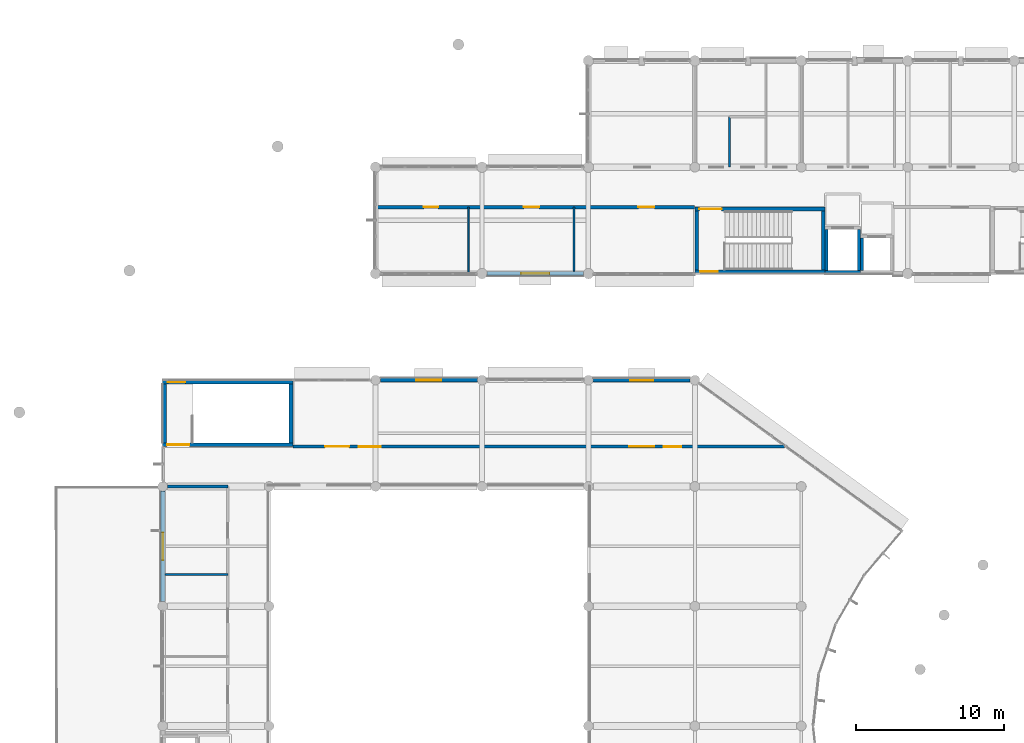
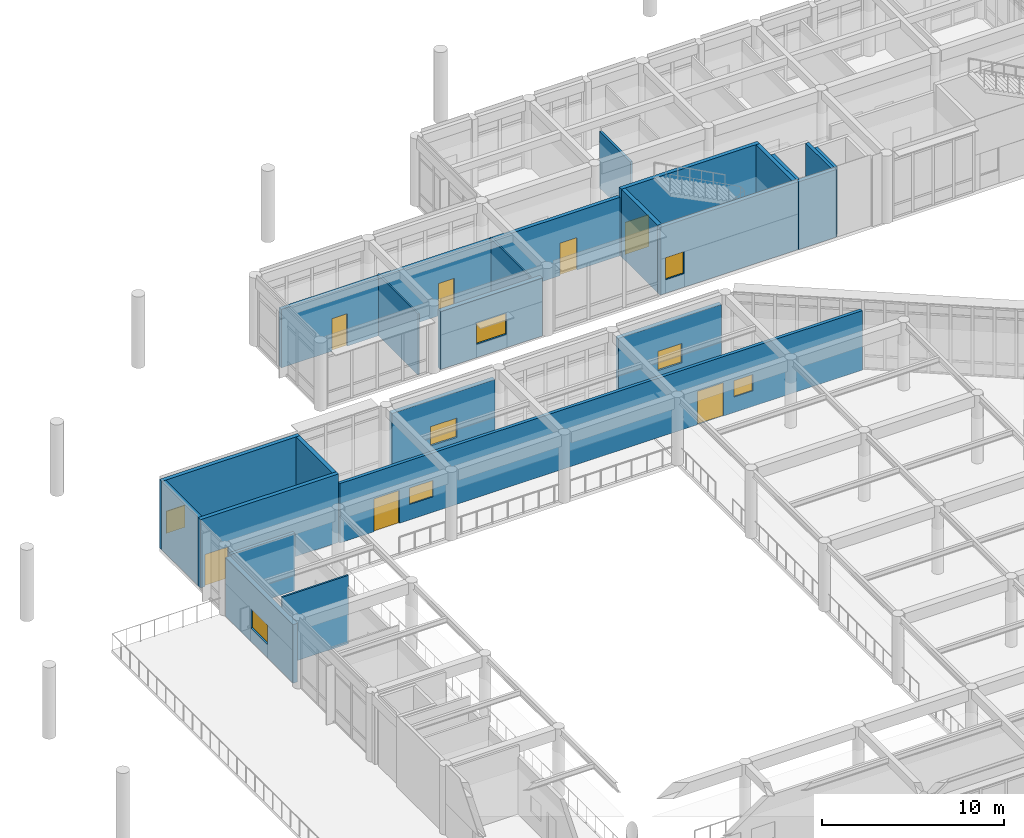
# One storey, part 49 of 92: 23 walls, 8 windows, 7 doors, 15 openings.
"""IFC4 building model written with IfcOpenShell, lengths in metres."""

from ifc_helpers import new_model, si_unit, direction, frame, frame_2d, origin, place, context, subcontext, project, spatial, rectangle, extrude, material, layer, layer_set, type_object, element, fill, save


model = new_model("IFC4")

# Units and contexts
model_context = context("Model", 3, precision=1e-05, world=origin(), true_north=direction((0.0, 1.0)))
body_context = subcontext(model_context, "Body", "Model", "MODEL_VIEW")
ifc_project = project(units=[si_unit("LENGTHUNIT", "METRE"), si_unit("AREAUNIT", "SQUARE_METRE"), si_unit("VOLUMEUNIT", "CUBIC_METRE"), si_unit("PLANEANGLEUNIT", "RADIAN"), si_unit("MASSUNIT", "GRAM", prefix="KILO")], contexts=[model_context])

# Site, building, storey
site_placement = place(None, origin())
site = spatial("IfcSite", under=ifc_project, at=site_placement, CompositionType="ELEMENT")
building_placement = place(site_placement, origin())
building = spatial("IfcBuilding", under=site, at=building_placement, Name="Namkhue Oval Health Centre", CompositionType="ELEMENT")
storey_placement = place(building_placement, frame((0.0, 0.0, 4.800048828125)))
storey = spatial("IfcBuildingStorey", under=building, at=storey_placement, Name="L01", CompositionType="ELEMENT", Elevation=4.800048828125)

# Wall, opening, window
ifc_material_1 = material(Name="Autoclaved aerated concrete blockwork M7.5", Category="masonry")
ifc_layer_1 = layer(ifc_material_1, 0.27001953125)
ifc_layer_set_1 = layer_set([ifc_layer_1], Name="Autoclaved aerated concrete blockwork M7.5")
wall_type_1 = type_object("IfcWallType", Name="EXTERIOR ENVELOPE WALL 270", PredefinedType="STANDARD", material=ifc_layer_set_1)
wall_1_placement = place(storey_placement, frame((57.280029296875, 82.800048828125, 0.0), z_axis=(0.0, 0.0, 1.0), x_axis=(-1.0, 0.0, 0.0)))
wall_1 = element("IfcWall", 1, at=wall_1_placement, inside=storey, type_object=wall_type_1, Name="Volume V1 L01 Exterior Envelope Wall 10", PredefinedType="STANDARD", context=body_context, shape_type="SweptSolid", body=[
    extrude(rectangle(XDim=6.56005859375, YDim=0.27001953125, at=frame_2d((3.280029296875, 0.0))), origin(), (0.0, 0.0, 1.0), 3.949951171875),
])
opening_1_placement = place(wall_1_placement, frame((2.5048828125, 0.0, 0.89990234375)))
opening_1 = element("IfcOpeningElement", 2, at=opening_1_placement, cuts=wall_1, Name="Opening WN-07", PredefinedType="OPENING", context=body_context, shape_type="SweptSolid", body=[
    extrude(rectangle(XDim=1.550048828125, YDim=1.300048828125, at=frame_2d((0.77490234375, 0.64990234375))), frame((0.0, 0.14501953125, 0.0), z_axis=(0.0, -1.0, 0.0), x_axis=(1.0, 0.0, 0.0)), (0.0, 0.0, 1.0), 0.2900390625),
])
ifc_material_2 = material(Name="Thermally broken low-E laminated double glazing", Category="glass")
window_type_1 = type_object("IfcWindowType", Name="EXTERIOR WINDOW 1550X1300", PartitioningType="SINGLE_PANEL", PredefinedType="WINDOW", material=ifc_material_2)
window_1_placement = place(opening_1_placement, origin())
window_1 = element("IfcWindow", 3, at=window_1_placement, inside=storey, type_object=window_type_1, Name="Volume V1 L01 Exterior Window 7", OverallHeight=1.300048828125, OverallWidth=1.550048828125, PartitioningType="SINGLE_PANEL", PredefinedType="WINDOW", context=body_context, shape_type="SweptSolid", body=[
    extrude(rectangle(XDim=1.550048828125, YDim=1.300048828125, at=frame_2d((0.77490234375, 0.64990234375))), frame((0.0, 0.030029296875, 0.0), z_axis=(0.0, -1.0, 0.0), x_axis=(1.0, 0.0, 0.0)), (0.0, 0.0, 1.0), 0.06005859375),
])
fill(opening_1, window_1)

ifc_layer_2 = layer(ifc_material_1, 0.280029296875)
ifc_layer_set_2 = layer_set([ifc_layer_2], Name="Autoclaved aerated concrete blockwork M7.5")
wall_type_2 = type_object("IfcWallType", Name="EXTERIOR ENVELOPE WALL 280", PredefinedType="STANDARD", material=ifc_layer_set_2)
wall_2_placement = place(storey_placement, frame((42.8798828125, 82.800048828125, 0.0), z_axis=(0.0, 0.0, 1.0), x_axis=(-1.0, 0.0, 0.0)))
wall_2 = element("IfcWall", 4, at=wall_2_placement, inside=storey, type_object=wall_type_2, Name="Volume V1 L01 Exterior Envelope Wall 11", PredefinedType="STANDARD", context=body_context, shape_type="SweptSolid", body=[
    extrude(rectangle(XDim=6.559814453125, YDim=0.280029296875, at=frame_2d((3.27978515625, 0.0))), origin(), (0.0, 0.0, 1.0), 3.949951171875),
])
opening_2_placement = place(wall_2_placement, frame((2.429931640625, 0.0, 0.89990234375)))
opening_2 = element("IfcOpeningElement", 5, at=opening_2_placement, cuts=wall_2, Name="Opening WN-08", PredefinedType="OPENING", context=body_context, shape_type="SweptSolid", body=[
    extrude(rectangle(XDim=1.699951171875, YDim=1.300048828125, at=frame_2d((0.85009765625, 0.64990234375))), frame((0.0, 0.14990234375, 0.0), z_axis=(0.0, -1.0, 0.0), x_axis=(1.0, 0.0, 0.0)), (0.0, 0.0, 1.0), 0.300048828125),
])
window_type_2 = type_object("IfcWindowType", Name="EXTERIOR WINDOW 1700X1300", PartitioningType="SINGLE_PANEL", PredefinedType="WINDOW", material=ifc_material_2)
window_2_placement = place(opening_2_placement, origin())
window_2 = element("IfcWindow", 6, at=window_2_placement, inside=storey, type_object=window_type_2, Name="Volume V1 L01 Exterior Window 8", OverallHeight=1.300048828125, OverallWidth=1.699951171875, PartitioningType="SINGLE_PANEL", PredefinedType="WINDOW", context=body_context, shape_type="SweptSolid", body=[
    extrude(rectangle(XDim=1.699951171875, YDim=1.300048828125, at=frame_2d((0.85009765625, 0.64990234375))), frame((0.0, 0.030029296875, 0.0), z_axis=(0.0, -1.0, 0.0), x_axis=(1.0, 0.0, 0.0)), (0.0, 0.0, 1.0), 0.06005859375),
])
fill(opening_2, window_2)

wall_3_placement = place(storey_placement, frame((43.544921875, 90.0, 0.0), z_axis=(0.0, 0.0, 1.0), x_axis=(1.0, 0.0, 0.0)))
wall_3 = element("IfcWall", 7, at=wall_3_placement, inside=storey, type_object=wall_type_2, Name="Volume V2 L01 Exterior Envelope Wall 27", PredefinedType="STANDARD", context=body_context, shape_type="SweptSolid", body=[
    extrude(rectangle(XDim=6.510009765625, YDim=0.280029296875, at=frame_2d((3.2548828125, 0.0))), origin(), (0.0, 0.0, 1.0), 3.905029296875),
])
opening_3_placement = place(wall_3_placement, frame((2.304931640625, 0.0, 0.89990234375)))
opening_3 = element("IfcOpeningElement", 8, at=opening_3_placement, cuts=wall_3, Name="Opening WN-18", PredefinedType="OPENING", context=body_context, shape_type="SweptSolid", body=[
    extrude(rectangle(XDim=1.89990234375, YDim=1.419921875, at=frame_2d((0.949951171875, 0.7099609375))), frame((0.0, 0.14990234375, 0.0), z_axis=(0.0, -1.0, 0.0), x_axis=(1.0, 0.0, 0.0)), (0.0, 0.0, 1.0), 0.300048828125),
])
window_type_3 = type_object("IfcWindowType", Name="EXTERIOR WINDOW 1900X1420", PartitioningType="SINGLE_PANEL", PredefinedType="WINDOW", material=ifc_material_2)
window_3_placement = place(opening_3_placement, origin())
window_3 = element("IfcWindow", 9, at=window_3_placement, inside=storey, type_object=window_type_3, Name="Volume V2 L01 Exterior Window 18", OverallHeight=1.419921875, OverallWidth=1.89990234375, PartitioningType="SINGLE_PANEL", PredefinedType="WINDOW", context=body_context, shape_type="SweptSolid", body=[
    extrude(rectangle(XDim=1.89990234375, YDim=1.419921875, at=frame_2d((0.949951171875, 0.7099609375))), frame((0.0, 0.030029296875, 0.0), z_axis=(0.0, -1.0, 0.0), x_axis=(1.0, 0.0, 0.0)), (0.0, 0.0, 1.0), 0.06005859375),
])
fill(opening_3, window_3)

ifc_layer_3 = layer(ifc_material_1, 0.2900390625)
ifc_layer_set_3 = layer_set([ifc_layer_3], Name="Autoclaved aerated concrete blockwork M7.5")
wall_type_3 = type_object("IfcWallType", Name="EXTERIOR ENVELOPE WALL 290", PredefinedType="STANDARD", material=ifc_layer_set_3)
wall_4_placement = place(storey_placement, frame((21.60009765625, 75.280029296875, 0.0), z_axis=(0.0, 0.0, 1.0), x_axis=(0.0, -1.0, 0.0)))
wall_4 = element("IfcWall", 10, at=wall_4_placement, inside=storey, type_object=wall_type_3, Name="Volume V1 L01 Exterior Envelope Wall 12", PredefinedType="STANDARD", context=body_context, shape_type="SweptSolid", body=[
    extrude(rectangle(XDim=7.4599609375, YDim=0.2900390625, at=frame_2d((3.72998046875, 0.0))), origin(), (0.0, 0.0, 1.0), 3.949951171875),
])
opening_4_placement = place(wall_4_placement, frame((2.804931640625, 0.0, 0.89990234375)))
opening_4 = element("IfcOpeningElement", 11, at=opening_4_placement, cuts=wall_4, Name="Opening WN-09", PredefinedType="OPENING", context=body_context, shape_type="SweptSolid", body=[
    extrude(rectangle(XDim=1.85009765625, YDim=1.300048828125, at=frame_2d((0.925048828125, 0.64990234375))), frame((0.0, 0.155029296875, 0.0), z_axis=(0.0, -1.0, 0.0), x_axis=(1.0, 0.0, 0.0)), (0.0, 0.0, 1.0), 0.31005859375),
])
window_type_4 = type_object("IfcWindowType", Name="EXTERIOR WINDOW 1850X1300", PartitioningType="SINGLE_PANEL", PredefinedType="WINDOW", material=ifc_material_2)
window_4_placement = place(opening_4_placement, origin())
window_4 = element("IfcWindow", 12, at=window_4_placement, inside=storey, type_object=window_type_4, Name="Volume V1 L01 Exterior Window 9", OverallHeight=1.300048828125, OverallWidth=1.85009765625, PartitioningType="SINGLE_PANEL", PredefinedType="WINDOW", context=body_context, shape_type="SweptSolid", body=[
    extrude(rectangle(XDim=1.85009765625, YDim=1.300048828125, at=frame_2d((0.925048828125, 0.64990234375))), frame((0.0, 0.030029296875, 0.0), z_axis=(0.0, -1.0, 0.0), x_axis=(1.0, 0.0, 0.0)), (0.0, 0.0, 1.0), 0.06005859375),
])
fill(opening_4, window_4)

# Wall
ifc_material_3 = material(Name="Gypsum plasterboard acoustic partition", Category="gypsum")
ifc_layer_4 = layer(ifc_material_3, 0.195068359375)
ifc_layer_set_4 = layer_set([ifc_layer_4], Name="Gypsum plasterboard acoustic partition")
wall_type_4 = type_object("IfcWallType", Name="FIRE PARTITION WALL 195", PredefinedType="PARTITIONING", material=ifc_layer_set_4)
wall_5_placement = place(storey_placement, frame((21.925048828125, 75.60009765625, 0.0), z_axis=(0.0, 0.0, 1.0), x_axis=(1.0, 0.0, 0.0)))
element("IfcWall", 13, at=wall_5_placement, inside=storey, type_object=wall_type_4, Name="Volume V1 L01 Clinical Partition Wall 24", PredefinedType="PARTITIONING", context=body_context, shape_type="SweptSolid", body=[
    extrude(rectangle(XDim=4.074951171875, YDim=0.195068359375, at=frame_2d((2.03759765625, 0.0))), origin(), (0.0, 0.0, 1.0), 3.849853515625),
])

# Wall, openings, doors, windows
ifc_layer_5 = layer(ifc_material_3, 0.205078125)
ifc_layer_set_5 = layer_set([ifc_layer_5], Name="Gypsum plasterboard acoustic partition")
wall_type_5 = type_object("IfcWallType", Name="FIRE PARTITION WALL 205", PredefinedType="PARTITIONING", material=ifc_layer_set_5)
wall_6_placement = place(storey_placement, frame((30.419921875, 78.300048828125, 0.0), z_axis=(0.0, 0.0, 1.0), x_axis=(1.0, 0.0, 0.0)))
wall_6 = element("IfcWall", 14, at=wall_6_placement, inside=storey, type_object=wall_type_5, Name="Volume V1 L01 Clinical Partition Wall 32", PredefinedType="PARTITIONING", context=body_context, shape_type="SweptSolid", body=[
    extrude(rectangle(XDim=33.238525390625, YDim=0.205078125, at=frame_2d((16.619140625, 0.0))), origin(), (0.0, 0.0, 1.0), 4.0),
])
opening_5_placement = place(wall_6_placement, frame((2.169921875, 0.0, 0.0)))
opening_5 = element("IfcOpeningElement", 15, at=opening_5_placement, cuts=wall_6, Name="Opening CDD-05", PredefinedType="OPENING", context=body_context, shape_type="SweptSolid", body=[
    extrude(rectangle(XDim=1.6201171875, YDim=2.219970703125, at=frame_2d((0.81005859375, 1.10986328125))), frame((0.0, 0.112548828125, 0.0), z_axis=(0.0, -1.0, 0.0), x_axis=(1.0, 0.0, 0.0)), (0.0, 0.0, 1.0), 0.22509765625),
])
opening_6_placement = place(wall_6_placement, frame((4.43994140625, 0.0, 1.050048828125)))
opening_6 = element("IfcOpeningElement", 16, at=opening_6_placement, cuts=wall_6, Name="Opening IWN-02", PredefinedType="OPENING", context=body_context, shape_type="SweptSolid", body=[
    extrude(rectangle(XDim=1.5, YDim=1.10009765625, at=frame_2d((0.75, 0.550048828125))), frame((0.0, 0.112548828125, 0.0), z_axis=(0.0, -1.0, 0.0), x_axis=(1.0, 0.0, 0.0)), (0.0, 0.0, 1.0), 0.22509765625),
])
opening_7_placement = place(wall_6_placement, frame((22.739990234375, 0.0, 0.0)))
opening_7 = element("IfcOpeningElement", 17, at=opening_7_placement, cuts=wall_6, Name="Opening CDD-06", PredefinedType="OPENING", context=body_context, shape_type="SweptSolid", body=[
    extrude(rectangle(XDim=1.679931640625, YDim=2.239990234375, at=frame_2d((0.83984375, 1.1201171875))), frame((0.0, 0.112548828125, 0.0), z_axis=(0.0, -1.0, 0.0), x_axis=(1.0, 0.0, 0.0)), (0.0, 0.0, 1.0), 0.22509765625),
])
opening_8_placement = place(wall_6_placement, frame((25.070068359375, 0.0, 1.050048828125)))
opening_8 = element("IfcOpeningElement", 18, at=opening_8_placement, cuts=wall_6, Name="Opening IWN-01", PredefinedType="OPENING", context=body_context, shape_type="SweptSolid", body=[
    extrude(rectangle(XDim=1.199951171875, YDim=1.10009765625, at=frame_2d((0.60009765625, 0.550048828125))), frame((0.0, 0.112548828125, 0.0), z_axis=(0.0, -1.0, 0.0), x_axis=(1.0, 0.0, 0.0)), (0.0, 0.0, 1.0), 0.22509765625),
])
ifc_material_4 = material(Name="Powder-coated steel fire door assembly", Category="steel")
door_type_1 = type_object("IfcDoorType", Name="CLINICAL DOOR DOUBLE 1620X2220", OperationType="DOUBLE_DOOR_SINGLE_SWING", PredefinedType="DOOR", material=ifc_material_4)
door_1_placement = place(opening_5_placement, frame((1.6201171875, 0.0, 0.0), z_axis=(0.0, 0.0, 1.0), x_axis=(-1.0, 0.0, 0.0)))
door_1 = element("IfcDoor", 19, at=door_1_placement, inside=storey, type_object=door_type_1, Name="Volume V1 L01 Immunisation Clinic West Door 19", OperationType="DOUBLE_DOOR_SINGLE_SWING", OverallHeight=2.219970703125, OverallWidth=1.6201171875, PredefinedType="DOOR", context=body_context, shape_type="SweptSolid", body=[
    extrude(rectangle(XDim=1.6201171875, YDim=2.219970703125, at=frame_2d((0.81005859375, 1.10986328125))), frame((0.0, 0.02490234375, 0.0), z_axis=(0.0, -1.0, 0.0), x_axis=(1.0, 0.0, 0.0)), (0.0, 0.0, 1.0), 0.050048828125),
])
fill(opening_5, door_1)
door_type_2 = type_object("IfcDoorType", Name="CLINICAL DOOR DOUBLE 1680X2240", OperationType="DOUBLE_DOOR_SINGLE_SWING", PredefinedType="DOOR", material=ifc_material_4)
door_2_placement = place(opening_7_placement, frame((1.679931640625, 0.0, 0.0), z_axis=(0.0, 0.0, 1.0), x_axis=(-1.0, 0.0, 0.0)))
door_2 = element("IfcDoor", 20, at=door_2_placement, inside=storey, type_object=door_type_2, Name="Volume V1 L01 Immunisation Clinic Gallery Door 20", OperationType="DOUBLE_DOOR_SINGLE_SWING", OverallHeight=2.239990234375, OverallWidth=1.679931640625, PredefinedType="DOOR", context=body_context, shape_type="SweptSolid", body=[
    extrude(rectangle(XDim=1.679931640625, YDim=2.239990234375, at=frame_2d((0.83984375, 1.1201171875))), frame((0.0, 0.02490234375, 0.0), z_axis=(0.0, -1.0, 0.0), x_axis=(1.0, 0.0, 0.0)), (0.0, 0.0, 1.0), 0.050048828125),
])
fill(opening_7, door_2)
ifc_material_5 = material(Name="Lead-equivalent radiation-shielded observation glass", Category="glass")
window_type_5 = type_object("IfcWindowType", Name="COURTYARD WINDOW OBSERVATION 1200X1100", PartitioningType="SINGLE_PANEL", PredefinedType="WINDOW", material=ifc_material_5)
window_5_placement = place(opening_8_placement, origin())
window_5 = element("IfcWindow", 21, at=window_5_placement, inside=storey, type_object=window_type_5, Name="Volume V1 L01 Clinical Observation Window 6", OverallHeight=1.10009765625, OverallWidth=1.199951171875, PartitioningType="SINGLE_PANEL", PredefinedType="WINDOW", context=body_context, shape_type="SweptSolid", body=[
    extrude(rectangle(XDim=1.199951171875, YDim=1.10009765625, at=frame_2d((0.60009765625, 0.550048828125))), frame((0.0, 0.030029296875, 0.0), z_axis=(0.0, -1.0, 0.0), x_axis=(1.0, 0.0, 0.0)), (0.0, 0.0, 1.0), 0.06005859375),
])
fill(opening_8, window_5)
window_type_6 = type_object("IfcWindowType", Name="COURTYARD WINDOW OBSERVATION 1500X1100", PartitioningType="SINGLE_PANEL", PredefinedType="WINDOW", material=ifc_material_5)
window_6_placement = place(opening_6_placement, origin())
window_6 = element("IfcWindow", 22, at=window_6_placement, inside=storey, type_object=window_type_6, Name="Volume V1 L01 Clinical Observation Window 5", OverallHeight=1.10009765625, OverallWidth=1.5, PartitioningType="SINGLE_PANEL", PredefinedType="WINDOW", context=body_context, shape_type="SweptSolid", body=[
    extrude(rectangle(XDim=1.5, YDim=1.10009765625, at=frame_2d((0.75, 0.550048828125))), frame((0.0, 0.030029296875, 0.0), z_axis=(0.0, -1.0, 0.0), x_axis=(1.0, 0.0, 0.0)), (0.0, 0.0, 1.0), 0.06005859375),
])
fill(opening_6, window_6)

# Wall, openings, doors
ifc_material_6 = material(Name="Lead-lined barium plasterboard radiation partition", Category="gypsum")
ifc_layer_6 = layer(ifc_material_6, 0.235107421875)
ifc_layer_set_6 = layer_set([ifc_layer_6], Name="Lead-lined barium plasterboard radiation partition")
wall_type_6 = type_object("IfcWallType", Name="FIRE PARTITION WALL 235", PredefinedType="PARTITIONING", material=ifc_layer_set_6)
wall_7_placement = place(storey_placement, frame((36.0400390625, 94.5, 0.0), z_axis=(0.0, 0.0, 1.0), x_axis=(1.0, 0.0, 0.0)))
wall_7 = element("IfcWall", 23, at=wall_7_placement, inside=storey, type_object=wall_type_6, Name="Volume V2 L01 Clinical Partition Wall 56", PredefinedType="PARTITIONING", context=body_context, shape_type="SweptSolid", body=[
    extrude(rectangle(XDim=21.5400390625, YDim=0.235107421875, at=frame_2d((10.77001953125, 0.0))), origin(), (0.0, 0.0, 1.0), 3.93505859375),
])
opening_9_placement = place(wall_7_placement, frame((3.22705078125, 0.0, 0.0)))
opening_9 = element("IfcOpeningElement", 24, at=opening_9_placement, cuts=wall_7, Name="Opening CD-14", PredefinedType="OPENING", context=body_context, shape_type="SweptSolid", body=[
    extrude(rectangle(XDim=0.969970703125, YDim=2.179931640625, at=frame_2d((0.48486328125, 1.08984375))), frame((0.0, 0.12744140625, 0.0), z_axis=(0.0, -1.0, 0.0), x_axis=(1.0, 0.0, 0.0)), (0.0, 0.0, 1.0), 0.255126953125),
])
opening_10_placement = place(wall_7_placement, frame((9.985107421875, 0.0, 0.0)))
opening_10 = element("IfcOpeningElement", 25, at=opening_10_placement, cuts=wall_7, Name="Opening CD-15", PredefinedType="OPENING", context=body_context, shape_type="SweptSolid", body=[
    extrude(rectangle(XDim=1.030029296875, YDim=2.179931640625, at=frame_2d((0.51513671875, 1.08984375))), frame((0.0, 0.12744140625, 0.0), z_axis=(0.0, -1.0, 0.0), x_axis=(1.0, 0.0, 0.0)), (0.0, 0.0, 1.0), 0.255126953125),
])
opening_11_placement = place(wall_7_placement, frame((17.739990234375, 0.0, 0.0)))
opening_11 = element("IfcOpeningElement", 26, at=opening_11_placement, cuts=wall_7, Name="Opening CD-16", PredefinedType="OPENING", context=body_context, shape_type="SweptSolid", body=[
    extrude(rectangle(XDim=1.080078125, YDim=2.179931640625, at=frame_2d((0.5400390625, 1.08984375))), frame((0.0, 0.12744140625, 0.0), z_axis=(0.0, -1.0, 0.0), x_axis=(1.0, 0.0, 0.0)), (0.0, 0.0, 1.0), 0.255126953125),
])
ifc_material_7 = material(Name="High-pressure laminate timber clinical door", Category="wood")
door_type_3 = type_object("IfcDoorType", Name="CLINICAL DOOR 1030X2180", OperationType="NOTDEFINED", PredefinedType="DOOR", material=ifc_material_7)
door_3_placement = place(opening_10_placement, frame((1.030029296875, 0.0, 0.0), z_axis=(0.0, 0.0, 1.0), x_axis=(-1.0, 0.0, 0.0)))
door_3 = element("IfcDoor", 27, at=door_3_placement, inside=storey, type_object=door_type_3, Name="Volume V2 L01 Spirometry Diagnostics Room Door 43", OperationType="SINGLE_SWING_LEFT", OverallHeight=2.179931640625, OverallWidth=1.030029296875, PredefinedType="DOOR", context=body_context, shape_type="SweptSolid", body=[
    extrude(rectangle(XDim=1.030029296875, YDim=2.179931640625, at=frame_2d((0.51513671875, 1.08984375))), frame((0.0, 0.02490234375, 0.0), z_axis=(0.0, -1.0, 0.0), x_axis=(1.0, 0.0, 0.0)), (0.0, 0.0, 1.0), 0.050048828125),
])
fill(opening_10, door_3)
door_type_4 = type_object("IfcDoorType", Name="CLINICAL DOOR 1080X2180", OperationType="NOTDEFINED", PredefinedType="DOOR", material=ifc_material_7)
door_4_placement = place(opening_11_placement, frame((1.080078125, 0.0, 0.0), z_axis=(0.0, 0.0, 1.0), x_axis=(-1.0, 0.0, 0.0)))
door_4 = element("IfcDoor", 28, at=door_4_placement, inside=storey, type_object=door_type_4, Name="Volume V2 L01 General Practice Examination Room Door 44", OperationType="SINGLE_SWING_RIGHT", OverallHeight=2.179931640625, OverallWidth=1.080078125, PredefinedType="DOOR", context=body_context, shape_type="SweptSolid", body=[
    extrude(rectangle(XDim=1.080078125, YDim=2.179931640625, at=frame_2d((0.5400390625, 1.08984375))), frame((0.0, 0.02490234375, 0.0), z_axis=(0.0, -1.0, 0.0), x_axis=(1.0, 0.0, 0.0)), (0.0, 0.0, 1.0), 0.050048828125),
])
fill(opening_11, door_4)
door_type_5 = type_object("IfcDoorType", Name="CLINICAL DOOR 970X2180", OperationType="NOTDEFINED", PredefinedType="DOOR", material=ifc_material_7)
door_5_placement = place(opening_9_placement, frame((0.969970703125, 0.0, 0.0), z_axis=(0.0, 0.0, 1.0), x_axis=(-1.0, 0.0, 0.0)))
door_5 = element("IfcDoor", 29, at=door_5_placement, inside=storey, type_object=door_type_5, Name="Volume V2 L01 Hypertension Consultation Suite Door 42", OperationType="SINGLE_SWING_RIGHT", OverallHeight=2.179931640625, OverallWidth=0.969970703125, PredefinedType="DOOR", context=body_context, shape_type="SweptSolid", body=[
    extrude(rectangle(XDim=0.969970703125, YDim=2.179931640625, at=frame_2d((0.48486328125, 1.08984375))), frame((0.0, 0.02490234375, 0.0), z_axis=(0.0, -1.0, 0.0), x_axis=(1.0, 0.0, 0.0)), (0.0, 0.0, 1.0), 0.050048828125),
])
fill(opening_9, door_5)

# Walls
ifc_layer_7 = layer(ifc_material_3, 0.10009765625)
ifc_layer_set_7 = layer_set([ifc_layer_7], Name="Gypsum plasterboard acoustic partition")
wall_type_7 = type_object("IfcWallType", Name="INTERIOR PARTITION WALL 100", PredefinedType="PARTITIONING", material=ifc_layer_set_7)
wall_8_placement = place(storey_placement, frame((42.27294921875, 90.0400390625, 0.0), z_axis=(0.0, 0.0, 1.0), x_axis=(0.0, 1.0, 0.0)))
element("IfcWall", 30, at=wall_8_placement, inside=storey, type_object=wall_type_7, Name="Volume V2 L01 Clinical Partition Wall 57", PredefinedType="PARTITIONING", context=body_context, shape_type="SweptSolid", body=[
    extrude(rectangle(XDim=4.4599609375, YDim=0.10009765625, at=frame_2d((2.22998046875, 0.0))), origin(), (0.0, 0.0, 1.0), 4.0849609375),
])
ifc_layer_8 = layer(ifc_material_3, 0.110107421875)
ifc_layer_set_8 = layer_set([ifc_layer_8], Name="Gypsum plasterboard acoustic partition")
wall_type_8 = type_object("IfcWallType", Name="INTERIOR PARTITION WALL 110", PredefinedType="PARTITIONING", material=ifc_layer_set_8)
wall_9_placement = place(storey_placement, frame((21.76708984375, 69.64990234375, 0.0), z_axis=(0.0, 0.0, 1.0), x_axis=(1.0, 0.0, 0.0)))
element("IfcWall", 31, at=wall_9_placement, inside=storey, type_object=wall_type_8, Name="Volume V1 L01 Clinical Partition Wall 30", PredefinedType="PARTITIONING", context=body_context, shape_type="SweptSolid", body=[
    extrude(rectangle(XDim=4.23291015625, YDim=0.110107421875, at=frame_2d((2.116455078125, 0.0))), origin(), (0.0, 0.0, 1.0), 4.599853515625),
])
wall_10_placement = place(storey_placement, frame((49.419921875, 90.162109375, 0.0), z_axis=(0.0, 0.0, 1.0), x_axis=(0.0, 1.0, 0.0)))
element("IfcWall", 32, at=wall_10_placement, inside=storey, type_object=wall_type_8, Name="Volume V2 L01 Clinical Partition Wall 58", PredefinedType="PARTITIONING", context=body_context, shape_type="SweptSolid", body=[
    extrude(rectangle(XDim=4.337890625, YDim=0.110107421875, at=frame_2d((2.1689453125, 0.0))), origin(), (0.0, 0.0, 1.0), 4.054931640625),
])
ifc_layer_9 = layer(ifc_material_3, 0.14990234375)
ifc_layer_set_9 = layer_set([ifc_layer_9], Name="Gypsum plasterboard acoustic partition")
wall_type_9 = type_object("IfcWallType", Name="INTERIOR PARTITION WALL 150", PredefinedType="PARTITIONING", material=ifc_layer_set_9)
wall_11_placement = place(storey_placement, frame((59.93994140625, 97.199951171875, 0.0), z_axis=(0.0, 0.0, 1.0), x_axis=(0.0, 1.0, 0.0)))
element("IfcWall", 33, at=wall_11_placement, inside=storey, type_object=wall_type_9, Name="Volume V2 L01 Clinical Partition Wall 48", PredefinedType="PARTITIONING", context=body_context, shape_type="SweptSolid", body=[
    extrude(rectangle(XDim=3.400146484375, YDim=0.14990234375, at=frame_2d((1.7001953125, 0.0))), origin(), (0.0, 0.0, 1.0), 3.804931640625),
])

# Wall, opening, window
ifc_material_8 = material(Name="Reinforced concrete C35/45 (TCVN B40)", Category="concrete")
ifc_layer_10 = layer(ifc_material_8, 0.25)
ifc_layer_set_10 = layer_set([ifc_layer_10], Name="Reinforced concrete C35/45 (TCVN B40)")
wall_type_10 = type_object("IfcWallType", Name="SHEAR CORE WALL EXT 250", PredefinedType="SHEAR", material=ifc_layer_set_10)
wall_12_placement = place(storey_placement, frame((30.39990234375, 82.675048828125, 0.0), z_axis=(0.0, 0.0, 1.0), x_axis=(-1.0, 0.0, 0.0)))
wall_12 = element("IfcWall", 34, at=wall_12_placement, inside=storey, type_object=wall_type_10, Name="Core SC-02 L01 Shear Wall N", PredefinedType="SHEAR", context=body_context, shape_type="SweptSolid", body=[
    extrude(rectangle(XDim=8.7998046875, YDim=0.25, at=frame_2d((4.39990234375, 0.0))), origin(), (0.0, 0.0, 1.0), 4.599853515625),
])
opening_12_placement = place(wall_12_placement, frame((7.27001953125, 0.0, 0.919921875)))
opening_12 = element("IfcOpeningElement", 35, at=opening_12_placement, cuts=wall_12, Name="Opening SWN-01", PredefinedType="OPENING", context=body_context, shape_type="SweptSolid", body=[
    extrude(rectangle(XDim=1.179931640625, YDim=1.47998046875, at=frame_2d((0.58984375, 0.739990234375))), frame((0.0, 0.135009765625, 0.0), z_axis=(0.0, -1.0, 0.0), x_axis=(1.0, 0.0, 0.0)), (0.0, 0.0, 1.0), 0.27001953125),
])
ifc_material_9 = material(Name="Fire-rated insulated safety double glazing", Category="glass")
window_type_7 = type_object("IfcWindowType", Name="EXTERIOR WINDOW STAIRWELL 1180X1480", PartitioningType="SINGLE_PANEL", PredefinedType="WINDOW", material=ifc_material_9)
window_7_placement = place(opening_12_placement, origin())
window_7 = element("IfcWindow", 36, at=window_7_placement, inside=storey, type_object=window_type_7, Name="Stair ST-02 L01 Stairwell Daylight Window", OverallHeight=1.47998046875, OverallWidth=1.179931640625, PartitioningType="SINGLE_PANEL", PredefinedType="WINDOW", context=body_context, shape_type="SweptSolid", body=[
    extrude(rectangle(XDim=1.179931640625, YDim=1.47998046875, at=frame_2d((0.58984375, 0.739990234375))), frame((0.0, 0.030029296875, 0.0), z_axis=(0.0, -1.0, 0.0), x_axis=(1.0, 0.0, 0.0)), (0.0, 0.0, 1.0), 0.06005859375),
])
fill(opening_12, window_7)

# Wall
wall_13_placement = place(storey_placement, frame((21.72509765625, 82.550048828125, 0.0), z_axis=(0.0, 0.0, 1.0), x_axis=(0.0, -1.0, 0.0)))
element("IfcWall", 37, at=wall_13_placement, inside=storey, type_object=wall_type_10, Name="Core SC-02 L01 Shear Wall W", PredefinedType="SHEAR", context=body_context, shape_type="SweptSolid", body=[
    extrude(rectangle(XDim=4.0, YDim=0.25, at=frame_2d((2.0, 0.0))), origin(), (0.0, 0.0, 1.0), 4.599853515625),
])

# Wall, opening, window
wall_14_placement = place(storey_placement, frame((57.60009765625, 90.125, 0.0), z_axis=(0.0, 0.0, 1.0), x_axis=(1.0, 0.0, 0.0)))
wall_14 = element("IfcWall", 38, at=wall_14_placement, inside=storey, type_object=wall_type_10, Name="Core SC-03 L01 Shear Wall S", PredefinedType="SHEAR", context=body_context, shape_type="SweptSolid", body=[
    extrude(rectangle(XDim=8.7998046875, YDim=0.25, at=frame_2d((4.39990234375, 0.0))), origin(), (0.0, 0.0, 1.0), 4.554931640625),
])
opening_13_placement = place(wall_14_placement, frame((0.35009765625, 0.0, 0.919921875)))
opening_13 = element("IfcOpeningElement", 39, at=opening_13_placement, cuts=wall_14, Name="Opening SWN-01", PredefinedType="OPENING", context=body_context, shape_type="SweptSolid", body=[
    extrude(rectangle(XDim=1.179931640625, YDim=1.47998046875, at=frame_2d((0.58984375, 0.739990234375))), frame((0.0, 0.135009765625, 0.0), z_axis=(0.0, -1.0, 0.0), x_axis=(1.0, 0.0, 0.0)), (0.0, 0.0, 1.0), 0.27001953125),
])
window_8_placement = place(opening_13_placement, origin())
window_8 = element("IfcWindow", 40, at=window_8_placement, inside=storey, type_object=window_type_7, Name="Stair ST-03 L01 Stairwell Daylight Window", OverallHeight=1.47998046875, OverallWidth=1.179931640625, PartitioningType="SINGLE_PANEL", PredefinedType="WINDOW", context=body_context, shape_type="SweptSolid", body=[
    extrude(rectangle(XDim=1.179931640625, YDim=1.47998046875, at=frame_2d((0.58984375, 0.739990234375))), frame((0.0, 0.030029296875, 0.0), z_axis=(0.0, -1.0, 0.0), x_axis=(1.0, 0.0, 0.0)), (0.0, 0.0, 1.0), 0.06005859375),
])
fill(opening_13, window_8)

# Walls
wall_15_placement = place(storey_placement, frame((66.39990234375, 90.10009765625, 0.0), z_axis=(0.0, 0.0, 1.0), x_axis=(1.0, 0.0, 0.0)))
element("IfcWall", 41, at=wall_15_placement, inside=storey, type_object=wall_type_10, Name="Lift LF-01 L01 Shaft Wall S", PredefinedType="SHEAR", context=body_context, shape_type="SweptSolid", body=[
    extrude(rectangle(XDim=2.400146484375, YDim=0.25, at=frame_2d((1.2001953125, 0.0))), origin(), (0.0, 0.0, 1.0), 4.554931640625),
])
ifc_layer_11 = layer(ifc_material_8, 0.199951171875)
ifc_layer_set_11 = layer_set([ifc_layer_11], Name="Reinforced concrete C35/45 (TCVN B40)")
wall_type_11 = type_object("IfcWallType", Name="SHEAR CORE WALL INT 200", PredefinedType="SHEAR", material=ifc_layer_set_11)
for number, where, z_axis, x_axis, name in (
    (42, (68.699951171875, 90.199951171875, 0.0), (0.0, 0.0, 1.0), (0.0, 1.0, 0.0), "Lift LF-01 L01 Shaft Wall E"),
    (43, (66.5, 93.0, 0.0), (0.0, 0.0, 1.0), (0.0, -1.0, 0.0), "Lift LF-01 L01 Shaft Wall W"),
):
    element("IfcWall", number, at=place(storey_placement, frame(where, z_axis=z_axis, x_axis=x_axis)), inside=storey, type_object=wall_type_11, Name=name, PredefinedType="SHEAR", context=body_context, shape_type="SweptSolid", body=[
        extrude(rectangle(XDim=2.800048828125, YDim=0.199951171875, at=frame_2d((1.39990234375, 0.0))), origin(), (0.0, 0.0, 1.0), 4.554931640625),
    ])
wall_16_placement = place(storey_placement, frame((68.89990234375, 92.39990234375, 0.0), z_axis=(0.0, 0.0, 1.0), x_axis=(0.0, -1.0, 0.0)))
element("IfcWall", 44, at=wall_16_placement, inside=storey, type_object=wall_type_11, Name="Lift LF-02 L01 Shaft Wall W", PredefinedType="SHEAR", context=body_context, shape_type="SweptSolid", body=[
    extrude(rectangle(XDim=2.199951171875, YDim=0.199951171875, at=frame_2d((1.10009765625, 0.0))), origin(), (0.0, 0.0, 1.0), 4.554931640625),
])

# Wall, opening, door
ifc_layer_12 = layer(ifc_material_8, 0.25)
ifc_layer_set_12 = layer_set([ifc_layer_12], Name="Reinforced concrete C35/45 (TCVN B40)")
wall_type_12 = type_object("IfcWallType", Name="SHEAR CORE WALL INT 250", PredefinedType="SHEAR", material=ifc_layer_set_12)
wall_17_placement = place(storey_placement, frame((21.60009765625, 78.425048828125, 0.0), z_axis=(0.0, 0.0, 1.0), x_axis=(1.0, 0.0, 0.0)))
wall_17 = element("IfcWall", 45, at=wall_17_placement, inside=storey, type_object=wall_type_12, Name="Core SC-02 L01 Shear Wall S", PredefinedType="SHEAR", context=body_context, shape_type="SweptSolid", body=[
    extrude(rectangle(XDim=8.7998046875, YDim=0.25, at=frame_2d((4.39990234375, 0.0))), origin(), (0.0, 0.0, 1.0), 4.599853515625),
])
opening_14_placement = place(wall_17_placement, frame((0.300048828125, 0.0, 0.0)))
opening_14 = element("IfcOpeningElement", 46, at=opening_14_placement, cuts=wall_17, Name="Opening SD-I1", PredefinedType="OPENING", context=body_context, shape_type="SweptSolid", body=[
    extrude(rectangle(XDim=1.5, YDim=2.14990234375, at=frame_2d((0.75, 1.074951171875))), frame((0.0, 0.135009765625, 0.0), z_axis=(0.0, -1.0, 0.0), x_axis=(1.0, 0.0, 0.0)), (0.0, 0.0, 1.0), 0.27001953125),
])
door_type_6 = type_object("IfcDoorType", Name="CLINICAL DOOR STAIR CORE 1500X2150", OperationType="DOUBLE_DOOR_SINGLE_SWING", PredefinedType="DOOR", material=ifc_material_4)
door_6_placement = place(opening_14_placement, origin())
door_6 = element("IfcDoor", 47, at=door_6_placement, inside=storey, type_object=door_type_6, Name="Stair ST-02 L01 Stair Enclosure Fire Door", OperationType="DOUBLE_DOOR_SINGLE_SWING", OverallHeight=2.14990234375, OverallWidth=1.5, PredefinedType="DOOR", context=body_context, shape_type="SweptSolid", body=[
    extrude(rectangle(XDim=1.5, YDim=2.14990234375, at=frame_2d((0.75, 1.074951171875))), frame((0.0, 0.02490234375, 0.0), z_axis=(0.0, -1.0, 0.0), x_axis=(1.0, 0.0, 0.0)), (0.0, 0.0, 1.0), 0.050048828125),
])
fill(opening_14, door_6)

# Walls
wall_18_placement = place(storey_placement, frame((30.27490234375, 78.550048828125, 0.0), z_axis=(0.0, 0.0, 1.0), x_axis=(0.0, 1.0, 0.0)))
element("IfcWall", 48, at=wall_18_placement, inside=storey, type_object=wall_type_12, Name="Core SC-02 L01 Shear Wall E", PredefinedType="SHEAR", context=body_context, shape_type="SweptSolid", body=[
    extrude(rectangle(XDim=4.0, YDim=0.25, at=frame_2d((2.0, 0.0))), origin(), (0.0, 0.0, 1.0), 4.599853515625),
])
wall_19_placement = place(storey_placement, frame((66.27490234375, 90.25, 0.0), z_axis=(0.0, 0.0, 1.0), x_axis=(0.0, 1.0, 0.0)))
element("IfcWall", 49, at=wall_19_placement, inside=storey, type_object=wall_type_12, Name="Core SC-03 L01 Shear Wall E", PredefinedType="SHEAR", context=body_context, shape_type="SweptSolid", body=[
    extrude(rectangle(XDim=4.0, YDim=0.25, at=frame_2d((2.0, 0.0))), origin(), (0.0, 0.0, 1.0), 4.554931640625),
])

# Wall, opening, door
wall_20_placement = place(storey_placement, frame((66.39990234375, 94.375, 0.0), z_axis=(0.0, 0.0, 1.0), x_axis=(-1.0, 0.0, 0.0)))
wall_20 = element("IfcWall", 50, at=wall_20_placement, inside=storey, type_object=wall_type_12, Name="Core SC-03 L01 Shear Wall N", PredefinedType="SHEAR", context=body_context, shape_type="SweptSolid", body=[
    extrude(rectangle(XDim=8.7998046875, YDim=0.25, at=frame_2d((4.39990234375, 0.0))), origin(), (0.0, 0.0, 1.0), 4.554931640625),
])
opening_15_placement = place(wall_20_placement, frame((7.0, 0.0, 0.0)))
opening_15 = element("IfcOpeningElement", 51, at=opening_15_placement, cuts=wall_20, Name="Opening SD-I1", PredefinedType="OPENING", context=body_context, shape_type="SweptSolid", body=[
    extrude(rectangle(XDim=1.5, YDim=2.14990234375, at=frame_2d((0.75, 1.074951171875))), frame((0.0, 0.135009765625, 0.0), z_axis=(0.0, -1.0, 0.0), x_axis=(1.0, 0.0, 0.0)), (0.0, 0.0, 1.0), 0.27001953125),
])
door_7_placement = place(opening_15_placement, origin())
door_7 = element("IfcDoor", 52, at=door_7_placement, inside=storey, type_object=door_type_6, Name="Stair ST-03 L01 Stair Enclosure Fire Door", OperationType="DOUBLE_DOOR_SINGLE_SWING", OverallHeight=2.14990234375, OverallWidth=1.5, PredefinedType="DOOR", context=body_context, shape_type="SweptSolid", body=[
    extrude(rectangle(XDim=1.5, YDim=2.14990234375, at=frame_2d((0.75, 1.074951171875))), frame((0.0, 0.02490234375, 0.0), z_axis=(0.0, -1.0, 0.0), x_axis=(1.0, 0.0, 0.0)), (0.0, 0.0, 1.0), 0.050048828125),
])
fill(opening_15, door_7)

# Wall
wall_21_placement = place(storey_placement, frame((57.72509765625, 94.25, 0.0), z_axis=(0.0, 0.0, 1.0), x_axis=(0.0, -1.0, 0.0)))
element("IfcWall", 53, at=wall_21_placement, inside=storey, type_object=wall_type_12, Name="Core SC-03 L01 Shear Wall W", PredefinedType="SHEAR", context=body_context, shape_type="SweptSolid", body=[
    extrude(rectangle(XDim=4.0, YDim=0.25, at=frame_2d((2.0, 0.0))), origin(), (0.0, 0.0, 1.0), 4.554931640625),
])

save(model, "model.ifc")
